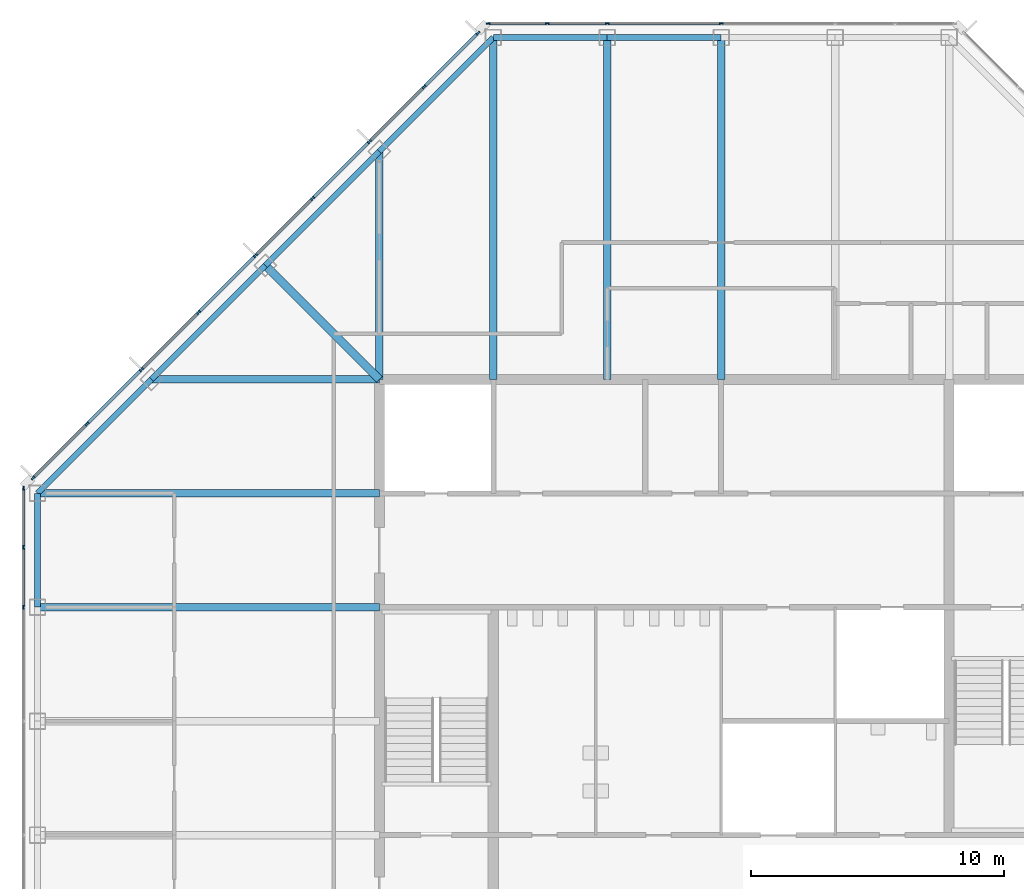
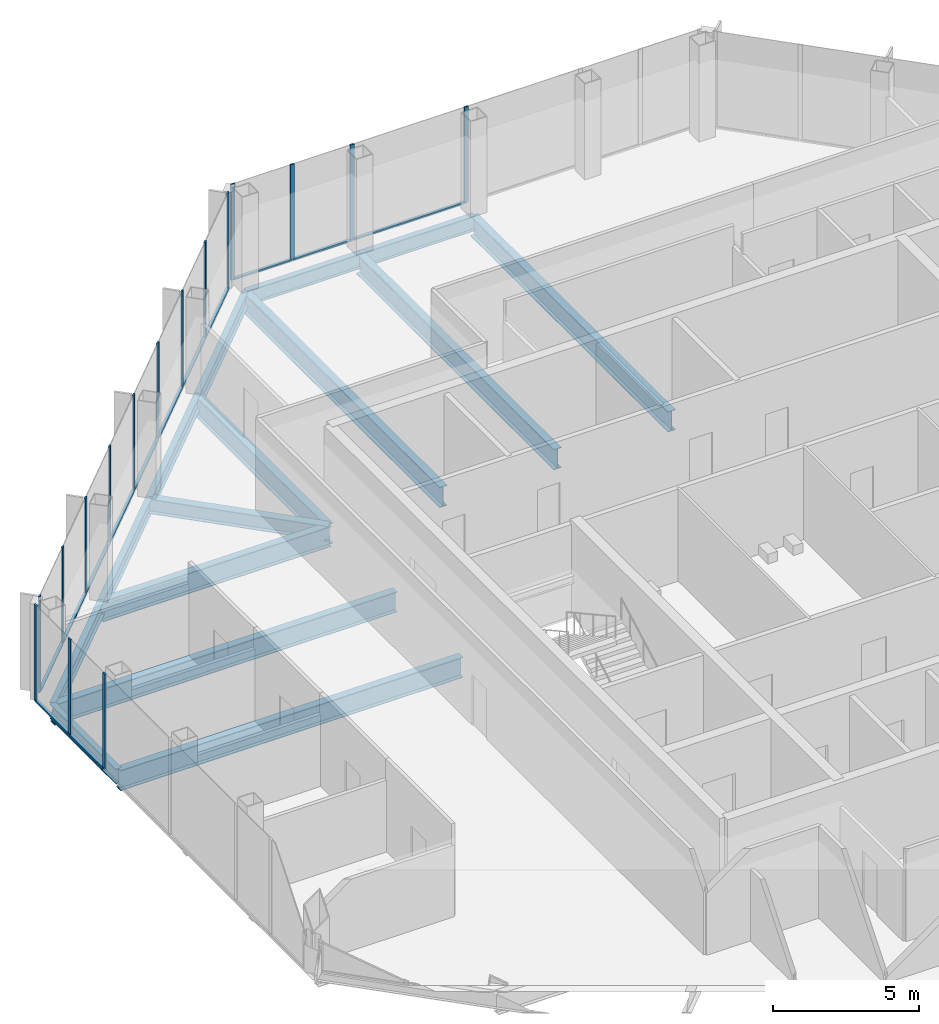
# One storey, part 6 of 14: 29 members, 15 beams, 3 elements without a shape of their own.
"""IFC4 building model written with IfcOpenShell, lengths in metres."""

import ifcopenshell
import ifcopenshell.guid

model = None  # the IFC model being written
_history = None  # IfcOwnerHistory: only IFC2X3 demands one
_inside = {}  # id of a spatial element -> (the spatial element, [elements in it])
_under = {}  # id of a project, library or spatial element -> (it, [spatial elements below it])
_declared = {}  # id of a project -> (the project, [libraries it declares])
_typed = {}  # id of a type object -> (the type object, [elements of that type])
_made_of = {}  # id of a material, layer set ... -> (it, [elements and type objects made of it])


def new_model(schema):
    """Start an empty IFC model of exactly this schema.

    Asked for "IFC4X3", IfcOpenShell would pick the latest addendum, in which some entities
    have other attributes; the version numbers below select the first issue.
    IFC2X3 requires an IfcOwnerHistory on every rooted entity: one is made here for all.
    """
    global model, _history
    if schema == "IFC4X3":
        model = ifcopenshell.file(schema_version=(4, 3, 0, 0))
    else:
        model = ifcopenshell.file(schema=schema)
    _inside.clear()
    _under.clear()
    _declared.clear()
    _typed.clear()
    _made_of.clear()
    _history = None
    if model.schema == "IFC2X3":
        org = make("IfcOrganization", Name="unknown")
        user = make(
            "IfcPersonAndOrganization",
            ThePerson=make("IfcPerson", FamilyName="unknown"),
            TheOrganization=org,
        )
        app = make(
            "IfcApplication",
            ApplicationDeveloper=org,
            Version="unknown",
            ApplicationFullName="unknown",
            ApplicationIdentifier="unknown",
        )
        _history = make(
            "IfcOwnerHistory",
            OwningUser=user,
            OwningApplication=app,
            ChangeAction="ADDED",
            CreationDate=0,
        )
    return model


def make(cls, **values):
    """One entity of the class cls with the attributes given. An attribute that is None is left unset."""
    return model.create_entity(
        cls, **{name: value for name, value in values.items() if value is not None}
    )


def rooted(cls, **values):
    """An entity with a GlobalId (a new one), such as an element, a storey or a relation."""
    return make(cls, GlobalId=ifcopenshell.guid.new(), OwnerHistory=_history, **values)


def si_unit(unit_type, name, prefix=None):
    """IfcSIUnit, for example si_unit("LENGTHUNIT", "METRE", prefix="MILLI")."""
    return make("IfcSIUnit", UnitType=unit_type, Prefix=prefix, Name=name)


def assignment(units):
    """IfcUnitAssignment: the units of a project."""
    return None if units is None else make("IfcUnitAssignment", Units=units)


def point(xyz):
    """IfcCartesianPoint."""
    return None if xyz is None else make("IfcCartesianPoint", Coordinates=xyz)


def direction(xyz):
    """IfcDirection."""
    return None if xyz is None else make("IfcDirection", DirectionRatios=xyz)


def frame(location, z_axis=None, x_axis=None):
    """IfcAxis2Placement3D, a coordinate frame: its origin and axes. An axis left out is left unset."""
    return make(
        "IfcAxis2Placement3D",
        Location=point(location),
        Axis=direction(z_axis),
        RefDirection=direction(x_axis),
    )


def frame_2d(location, x_axis=None):
    """IfcAxis2Placement2D, a coordinate frame in the plane: its origin and x axis."""
    return make(
        "IfcAxis2Placement2D", Location=point(location), RefDirection=direction(x_axis)
    )


def origin():
    """The frame at (0, 0, 0) with its axes left unset."""
    return frame((0.0, 0.0, 0.0))


def origin_2d():
    """The frame at (0, 0) in the plane with its x axis left unset."""
    return frame_2d((0.0, 0.0))


def place(relative_to, where):
    """IfcLocalPlacement: puts the frame where relative to a parent placement (None: the world)."""
    return make(
        "IfcLocalPlacement", PlacementRelTo=relative_to, RelativePlacement=where
    )


def context(
    kind, dimensions, precision=None, world=None, true_north=None, identifier=None
):
    """IfcGeometricRepresentationContext, for example the 3D "Model" context."""
    return make(
        "IfcGeometricRepresentationContext",
        ContextIdentifier=identifier,
        ContextType=kind,
        CoordinateSpaceDimension=dimensions,
        Precision=precision,
        WorldCoordinateSystem=world,
        TrueNorth=true_north,
    )


def subcontext(parent, identifier, kind, view, scale=None):
    """IfcGeometricRepresentationSubContext, for example "Body" below "Model"."""
    return make(
        "IfcGeometricRepresentationSubContext",
        ContextIdentifier=identifier,
        ContextType=kind,
        ParentContext=parent,
        TargetScale=scale,
        TargetView=view,
    )


def project(units=None, contexts=None):
    """IfcProject with its units and contexts."""
    return rooted(
        "IfcProject",
        Name="project",
        RepresentationContexts=contexts,
        UnitsInContext=assignment(units),
    )


def spatial(cls, under=None, at=None, **own):
    """A site, building, storey or space (cls), placed at a placement, below another one or the project."""
    s = rooted(cls, ObjectPlacement=at, **own)
    if under is not None:
        _under.setdefault(under.id(), (under, []))[1].append(s)
    return s


def profile(cls, at=None, kind="AREA", **sizes):
    """A parametric profile (cls). Its sizes go by their IFC names, for example OverallWidth=200.0."""
    return make(cls, ProfileType=kind, Position=at, **sizes)


def rectangle(**sizes):
    """IfcRectangleProfileDef."""
    return profile("IfcRectangleProfileDef", **sizes)


def i_section(**sizes):
    """IfcIShapeProfileDef."""
    return profile("IfcIShapeProfileDef", **sizes)


def extrude(swept, where, along, depth):
    """IfcExtrudedAreaSolid: the profile swept, set in the frame where, extruded along a direction by depth."""
    return make(
        "IfcExtrudedAreaSolid",
        SweptArea=swept,
        Position=where,
        ExtrudedDirection=direction(along),
        Depth=depth,
    )


def shape(context_of_items, identifier, shape_type, items):
    """IfcShapeRepresentation: the items that make up one representation, for example the "Body"."""
    return make(
        "IfcShapeRepresentation",
        ContextOfItems=context_of_items,
        RepresentationIdentifier=identifier,
        RepresentationType=shape_type,
        Items=items,
    )


def material(Name=None, Category=None):
    """IfcMaterial."""
    return make("IfcMaterial", Name=Name, Category=Category)


def material_profile(
    of_material, cross_section, Name=None, Category=None, Priority=None
):
    """IfcMaterialProfile: a cross section and its material."""
    return make(
        "IfcMaterialProfile",
        Name=Name,
        Material=of_material,
        Profile=cross_section,
        Priority=Priority,
        Category=Category,
    )


def profile_set(profiles, Name=None, composite=None):
    """IfcMaterialProfileSet."""
    return make(
        "IfcMaterialProfileSet",
        Name=Name,
        MaterialProfiles=profiles,
        CompositeProfile=composite,
    )


def made_of(thing, what):
    """Note that an element or type object is made of a material, layer set ...; save() writes the relation."""
    if what is not None:
        _made_of.setdefault(what.id(), (what, []))[1].append(thing)
    return thing


def type_object(cls, material=None, **own):
    """A type object (cls), such as IfcWallType, which elements share."""
    return made_of(rooted(cls, **own), material)


def element(
    cls,
    number,
    at=None,
    inside=None,
    cuts=None,
    type_object=None,
    material=None,
    context=None,
    identifier="Body",
    shape_type=None,
    held_by="IfcProductDefinitionShape",
    body=None,
    shapes=None,
    **own,
):
    """One element of the class cls, such as IfcWall. Its Tag is "e" and its number.

    at: its placement. inside: the storey or other place that contains it. cuts: it is an
    opening in that element (IfcRelVoidsElement). A single representation is given by context,
    identifier, shape_type and body (its items); several are given by shapes. held_by: the class
    of the entity that holds the representations. save() writes the other relations.
    """
    e = rooted(cls, Tag="e%d" % number, ObjectPlacement=at, **own)
    if body is not None:
        shapes = [shape(context, identifier, shape_type, body)]
    if shapes is not None:
        e.Representation = make(held_by, Representations=shapes)
    if inside is not None:
        _inside.setdefault(inside.id(), (inside, []))[1].append(e)
    if cuts is not None:
        rooted(
            "IfcRelVoidsElement", RelatingBuildingElement=cuts, RelatedOpeningElement=e
        )
    if type_object is not None:
        _typed.setdefault(type_object.id(), (type_object, []))[1].append(e)
    return made_of(e, material)


def aggregate(whole, parts):
    """IfcRelAggregates: a whole, such as a stair, and the parts it consists of."""
    return rooted("IfcRelAggregates", RelatingObject=whole, RelatedObjects=parts)


def save(model, path):
    """Write the relations noted so far, then the file.

    IfcRelAggregates (storeys below a building ...), IfcRelContainedInSpatialStructure (elements
    in a storey), IfcRelDefinesByType, IfcRelAssociatesMaterial and IfcRelDeclares: one each for
    every whole, place, type object, material and project.
    """
    for whole, parts in _under.values():
        aggregate(whole, parts)
    for where, things in _inside.values():
        rooted(
            "IfcRelContainedInSpatialStructure",
            RelatedElements=things,
            RelatingStructure=where,
        )
    for kind, things in _typed.values():
        rooted("IfcRelDefinesByType", RelatedObjects=things, RelatingType=kind)
    for what, things in _made_of.values():
        rooted("IfcRelAssociatesMaterial", RelatedObjects=things, RelatingMaterial=what)
    for by, libraries in _declared.values():
        rooted("IfcRelDeclares", RelatingContext=by, RelatedDefinitions=libraries)
    model.write(path)


model = new_model("IFC4")

# Units and contexts
model_context = context("Model", 3, precision=1e-05, world=origin(), true_north=direction((0.0, 1.0)))
body_context = subcontext(model_context, "Body", "Model", "MODEL_VIEW")
ifc_project = project(units=[si_unit("LENGTHUNIT", "METRE"), si_unit("AREAUNIT", "SQUARE_METRE"), si_unit("VOLUMEUNIT", "CUBIC_METRE"), si_unit("PLANEANGLEUNIT", "RADIAN"), si_unit("MASSUNIT", "GRAM", prefix="KILO")], contexts=[model_context])

# Site, building, storey
site_placement = place(None, origin())
site = spatial("IfcSite", under=ifc_project, at=site_placement, CompositionType="ELEMENT")
building_placement = place(site_placement, origin())
building = spatial("IfcBuilding", under=site, at=building_placement, Name="Corais Broadcast Tower", CompositionType="ELEMENT")
storey_placement = place(building_placement, frame((0.0, 0.0, 230.60009765625)))
storey = spatial("IfcBuildingStorey", under=building, at=storey_placement, Name="L53", CompositionType="ELEMENT", Elevation=230.60009765625)

# Beams
ifc_material_1 = material(Name="Steel ASTM A572 Grade 50", Category="steel")
ifc_material_profile_1 = material_profile(ifc_material_1, i_section(OverallWidth=0.323974609375, OverallDepth=0.611083984375, WebThickness=0.0126953125, FlangeThickness=0.01904296875, at=origin_2d()), Name="W610x155")
ifc_profile_set_1 = profile_set([ifc_material_profile_1], Name="Steel ASTM A572 Grade 50")
beam_type_1 = type_object("IfcBeamType", Name="Corner diagonal W610x155", PredefinedType="BEAM", material=ifc_profile_set_1)
beam_1_placement = place(storey_placement, frame((9.0, 45.0, -0.465576171875), z_axis=(0.707106781187, -0.707106781187, 0.0), x_axis=(0.707106781187, 0.707106781187, 0.0)))
element("IfcBeam", 1, at=beam_1_placement, inside=storey, type_object=beam_type_1, Name="B6 L/5 to K/6", PredefinedType="BEAM", context=body_context, shape_type="SweptSolid", body=[
    extrude(i_section(OverallWidth=0.323974609375, OverallDepth=0.611083984375, WebThickness=0.0126953125, FlangeThickness=0.01904296875, at=origin_2d()), origin(), (0.0, 0.0, 1.0), 6.364013671875),
])
ifc_material_2 = material(Name="Steel ASTM A572 Grade 50", Category="steel")
ifc_material_profile_2 = material_profile(ifc_material_2, i_section(OverallWidth=0.2939453125, OverallDepth=0.85107421875, WebThickness=0.01611328125, FlangeThickness=0.02685546875, at=origin_2d()), Name="W840x226")
ifc_profile_set_2 = profile_set([ifc_material_profile_2], Name="Steel ASTM A572 Grade 50")
beam_type_2 = type_object("IfcBeamType", Name="Floor beam W840x226", PredefinedType="BEAM", material=ifc_profile_set_2)
for number, where, z_axis, x_axis, name in (
    (2, (0.0, 31.5, -0.585693359375), (1.0, 0.0, 0.0), (0.0, 1.0, 0.0), "B1 H/3 to H/6"),
    (3, (0.0, 36.0, -0.585693359375), (1.0, 0.0, 0.0), (0.0, 1.0, 0.0), "B1 J/3 to J/6"),
):
    element("IfcBeam", number, at=place(storey_placement, frame(where, z_axis=z_axis, x_axis=x_axis)), inside=storey, type_object=beam_type_2, Name=name, PredefinedType="BEAM", context=body_context, shape_type="SweptSolid", body=[
        extrude(i_section(OverallWidth=0.2939453125, OverallDepth=0.85107421875, WebThickness=0.01611328125, FlangeThickness=0.02685546875, at=origin_2d()), origin(), (0.0, 0.0, 1.0), 13.5),
    ])
beam_2_placement = place(storey_placement, frame((13.5, 49.5, -0.585693359375), z_axis=(0.0, -1.0, 0.0), x_axis=(1.0, 0.0, 0.0)))
element("IfcBeam", 4, at=beam_2_placement, inside=storey, type_object=beam_type_2, Name="B1 M/6 to K/6", PredefinedType="BEAM", context=body_context, shape_type="SweptSolid", body=[
    extrude(i_section(OverallWidth=0.2939453125, OverallDepth=0.85107421875, WebThickness=0.01611328125, FlangeThickness=0.02685546875, at=origin_2d()), origin(), (0.0, 0.0, 1.0), 9.0),
])
for number, where, z_axis, x_axis, name in (
    (5, (18.0, 54.0, -0.585693359375), (0.0, -1.0, 0.0), (1.0, 0.0, 0.0), "B1 N/7 to K/7"),
    (6, (22.5, 54.0, -0.585693359375), (0.0, -1.0, 0.0), (1.0, 0.0, 0.0), "B1 N/8 to K/8"),
    (7, (27.0, 54.0, -0.585693359375), (0.0, -1.0, 0.0), (1.0, 0.0, 0.0), "B1 N/9 to K/9"),
):
    element("IfcBeam", number, at=place(storey_placement, frame(where, z_axis=z_axis, x_axis=x_axis)), inside=storey, type_object=beam_type_2, Name=name, PredefinedType="BEAM", context=body_context, shape_type="SweptSolid", body=[
        extrude(i_section(OverallWidth=0.2939453125, OverallDepth=0.85107421875, WebThickness=0.01611328125, FlangeThickness=0.02685546875, at=origin_2d()), origin(), (0.0, 0.0, 1.0), 13.5),
    ])
beam_3_placement = place(storey_placement, frame((4.5, 40.5, -0.585693359375), z_axis=(1.0, 0.0, 0.0), x_axis=(0.0, 1.0, 0.0)))
element("IfcBeam", 8, at=beam_3_placement, inside=storey, type_object=beam_type_2, Name="B1 K/4 to K/6", PredefinedType="BEAM", context=body_context, shape_type="SweptSolid", body=[
    extrude(i_section(OverallWidth=0.2939453125, OverallDepth=0.85107421875, WebThickness=0.01611328125, FlangeThickness=0.02685546875, at=origin_2d()), origin(), (0.0, 0.0, 1.0), 9.0),
])

# Curtain wall, members
ifc_material_3 = material(Name="Aluminium and glass", Category="aluminium")
curtain_wall_type = type_object("IfcCurtainWallType", Name="Unitised fritted curtain wall CW3", PredefinedType="NOTDEFINED", material=ifc_material_3)
curtain_wall_1_placement = place(storey_placement, origin())
curtain_wall_1 = element("IfcCurtainWall", 9, at=curtain_wall_1_placement, inside=storey, type_object=curtain_wall_type, Name="CW3 curtain wall L53 2", PredefinedType="NOTDEFINED")
ifc_material_4 = material(Name="Aluminium 6063-T6", Category="aluminium")
ifc_material_profile_3 = material_profile(ifc_material_4, rectangle(XDim=0.06494140625, YDim=0.159912109375, at=origin_2d()), Name="Mullion CW3 65x160")
ifc_profile_set_3 = profile_set([ifc_material_profile_3], Name="Aluminium 6063-T6")
member_type_1 = type_object("IfcMemberType", Name="Mullion CW3 65x160", PredefinedType="MULLION", material=ifc_profile_set_3)
member_1_placement = place(storey_placement, frame((-0.550048828125, 31.5, 0.0), z_axis=(0.0, 0.0, 1.0), x_axis=(-1.0, 0.0, 0.0)))
member_1 = element("IfcMember", 10, at=member_1_placement, type_object=member_type_1, Name="CW3 mullion 5", PredefinedType="MULLION", context=body_context, shape_type="SweptSolid", body=[
    extrude(rectangle(XDim=0.06494140625, YDim=0.159912109375, at=origin_2d()), origin(), (0.0, 0.0, 1.0), 4.0),
])
member_2_placement = place(storey_placement, frame((-0.550048828125, 33.864013671875, 0.0), z_axis=(0.0, 0.0, 1.0), x_axis=(-1.0, 0.0, 0.0)))
member_2 = element("IfcMember", 11, at=member_2_placement, type_object=member_type_1, Name="CW3 mullion 6", PredefinedType="MULLION", context=body_context, shape_type="SweptSolid", body=[
    extrude(rectangle(XDim=0.06494140625, YDim=0.159912109375, at=origin_2d()), origin(), (0.0, 0.0, 1.0), 4.0),
])
member_3_placement = place(storey_placement, frame((-0.550048828125, 36.1953125, 0.0), z_axis=(0.0, 0.0, 1.0), x_axis=(-1.0, 0.0, 0.0)))
member_3 = element("IfcMember", 12, at=member_3_placement, type_object=member_type_1, Name="CW3 mullion 7", PredefinedType="MULLION", context=body_context, shape_type="SweptSolid", body=[
    extrude(rectangle(XDim=0.06494140625, YDim=0.159912109375, at=origin_2d()), origin(), (0.0, 0.0, 1.0), 4.0),
])

curtain_wall_2_placement = place(storey_placement, origin())
curtain_wall_2 = element("IfcCurtainWall", 13, at=curtain_wall_2_placement, inside=storey, type_object=curtain_wall_type, Name="CW3 curtain wall L53 3", PredefinedType="NOTDEFINED")
member_4_placement = place(storey_placement, frame((-0.17333984375, 36.6044921875, 0.0), z_axis=(0.0, 0.0, 1.0), x_axis=(-0.707106781187, 0.707106781187, 0.0)))
member_4 = element("IfcMember", 14, at=member_4_placement, type_object=member_type_1, Name="CW3 mullion 1", PredefinedType="MULLION", context=body_context, shape_type="SweptSolid", body=[
    extrude(rectangle(XDim=0.06494140625, YDim=0.159912109375, at=origin_2d()), origin(), (0.0, 0.0, 1.0), 4.0),
])
member_5_placement = place(storey_placement, frame((1.957275390625, 38.735107421875, 0.0), z_axis=(0.0, 0.0, 1.0), x_axis=(-0.707106781187, 0.707106781187, 0.0)))
member_5 = element("IfcMember", 15, at=member_5_placement, type_object=member_type_1, Name="CW3 mullion 2", PredefinedType="MULLION", context=body_context, shape_type="SweptSolid", body=[
    extrude(rectangle(XDim=0.06494140625, YDim=0.159912109375, at=origin_2d()), origin(), (0.0, 0.0, 1.0), 4.0),
])
member_6_placement = place(storey_placement, frame((4.111083984375, 40.888916015625, 0.0), z_axis=(0.0, 0.0, 1.0), x_axis=(-0.707106781187, 0.707106781187, 0.0)))
member_6 = element("IfcMember", 16, at=member_6_placement, type_object=member_type_1, Name="CW3 mullion 3", PredefinedType="MULLION", context=body_context, shape_type="SweptSolid", body=[
    extrude(rectangle(XDim=0.06494140625, YDim=0.159912109375, at=origin_2d()), origin(), (0.0, 0.0, 1.0), 4.0),
])
member_7_placement = place(storey_placement, frame((6.361083984375, 43.138916015625, 0.0), z_axis=(0.0, 0.0, 1.0), x_axis=(-0.707106781187, 0.707106781187, 0.0)))
member_7 = element("IfcMember", 17, at=member_7_placement, type_object=member_type_1, Name="CW3 mullion 4", PredefinedType="MULLION", context=body_context, shape_type="SweptSolid", body=[
    extrude(rectangle(XDim=0.06494140625, YDim=0.159912109375, at=origin_2d()), origin(), (0.0, 0.0, 1.0), 4.0),
])
member_8_placement = place(storey_placement, frame((8.611083984375, 45.388916015625, 0.0), z_axis=(0.0, 0.0, 1.0), x_axis=(-0.707106781187, 0.707106781187, 0.0)))
member_8 = element("IfcMember", 18, at=member_8_placement, type_object=member_type_1, Name="CW3 mullion 5", PredefinedType="MULLION", context=body_context, shape_type="SweptSolid", body=[
    extrude(rectangle(XDim=0.06494140625, YDim=0.159912109375, at=origin_2d()), origin(), (0.0, 0.0, 1.0), 4.0),
])
member_9_placement = place(storey_placement, frame((10.861083984375, 47.638916015625, 0.0), z_axis=(0.0, 0.0, 1.0), x_axis=(-0.707106781187, 0.707106781187, 0.0)))
member_9 = element("IfcMember", 19, at=member_9_placement, type_object=member_type_1, Name="CW3 mullion 6", PredefinedType="MULLION", context=body_context, shape_type="SweptSolid", body=[
    extrude(rectangle(XDim=0.06494140625, YDim=0.159912109375, at=origin_2d()), origin(), (0.0, 0.0, 1.0), 4.0),
])
member_10_placement = place(storey_placement, frame((13.111083984375, 49.888916015625, 0.0), z_axis=(0.0, 0.0, 1.0), x_axis=(-0.707106781187, 0.707106781187, 0.0)))
member_10 = element("IfcMember", 20, at=member_10_placement, type_object=member_type_1, Name="CW3 mullion 7", PredefinedType="MULLION", context=body_context, shape_type="SweptSolid", body=[
    extrude(rectangle(XDim=0.06494140625, YDim=0.159912109375, at=origin_2d()), origin(), (0.0, 0.0, 1.0), 4.0),
])
member_11_placement = place(storey_placement, frame((15.264892578125, 52.042724609375, 0.0), z_axis=(0.0, 0.0, 1.0), x_axis=(-0.707106781187, 0.707106781187, 0.0)))
member_11 = element("IfcMember", 21, at=member_11_placement, type_object=member_type_1, Name="CW3 mullion 8", PredefinedType="MULLION", context=body_context, shape_type="SweptSolid", body=[
    extrude(rectangle(XDim=0.06494140625, YDim=0.159912109375, at=origin_2d()), origin(), (0.0, 0.0, 1.0), 4.0),
])
member_12_placement = place(storey_placement, frame((17.3955078125, 54.17333984375, 0.0), z_axis=(0.0, 0.0, 1.0), x_axis=(-0.707106781187, 0.707106781187, 0.0)))
member_12 = element("IfcMember", 22, at=member_12_placement, type_object=member_type_1, Name="CW3 mullion 9", PredefinedType="MULLION", context=body_context, shape_type="SweptSolid", body=[
    extrude(rectangle(XDim=0.06494140625, YDim=0.159912109375, at=origin_2d()), origin(), (0.0, 0.0, 1.0), 4.0),
])

curtain_wall_3_placement = place(storey_placement, origin())
curtain_wall_3 = element("IfcCurtainWall", 23, at=curtain_wall_3_placement, inside=storey, type_object=curtain_wall_type, Name="CW3 curtain wall L53 4", PredefinedType="NOTDEFINED")
member_13_placement = place(storey_placement, frame((17.8046875, 54.550048828125, 0.0), z_axis=(0.0, 0.0, 1.0), x_axis=(0.0, 1.0, 0.0)))
member_13 = element("IfcMember", 24, at=member_13_placement, type_object=member_type_1, Name="CW3 mullion 1", PredefinedType="MULLION", context=body_context, shape_type="SweptSolid", body=[
    extrude(rectangle(XDim=0.06494140625, YDim=0.159912109375, at=origin_2d()), origin(), (0.0, 0.0, 1.0), 4.0),
])
member_14_placement = place(storey_placement, frame((20.135986328125, 54.550048828125, 0.0), z_axis=(0.0, 0.0, 1.0), x_axis=(0.0, 1.0, 0.0)))
member_14 = element("IfcMember", 25, at=member_14_placement, type_object=member_type_1, Name="CW3 mullion 2", PredefinedType="MULLION", context=body_context, shape_type="SweptSolid", body=[
    extrude(rectangle(XDim=0.06494140625, YDim=0.159912109375, at=origin_2d()), origin(), (0.0, 0.0, 1.0), 4.0),
])
member_15_placement = place(storey_placement, frame((22.5, 54.550048828125, 0.0), z_axis=(0.0, 0.0, 1.0), x_axis=(0.0, 1.0, 0.0)))
member_15 = element("IfcMember", 26, at=member_15_placement, type_object=member_type_1, Name="CW3 mullion 3", PredefinedType="MULLION", context=body_context, shape_type="SweptSolid", body=[
    extrude(rectangle(XDim=0.06494140625, YDim=0.159912109375, at=origin_2d()), origin(), (0.0, 0.0, 1.0), 4.0),
])
member_16_placement = place(storey_placement, frame((27.0, 54.550048828125, 0.0), z_axis=(0.0, 0.0, 1.0), x_axis=(0.0, 1.0, 0.0)))
member_16 = element("IfcMember", 27, at=member_16_placement, type_object=member_type_1, Name="CW3 mullion 4", PredefinedType="MULLION", context=body_context, shape_type="SweptSolid", body=[
    extrude(rectangle(XDim=0.06494140625, YDim=0.159912109375, at=origin_2d()), origin(), (0.0, 0.0, 1.0), 4.0),
])

# Beams
ifc_material_5 = material(Name="Steel ASTM A572 Grade 50", Category="steel")
ifc_material_profile_4 = material_profile(ifc_material_5, i_section(OverallWidth=0.22998046875, OverallDepth=0.616943359375, WebThickness=0.01318359375, FlangeThickness=0.022216796875, at=origin_2d()), Name="W610x140")
ifc_profile_set_4 = profile_set([ifc_material_profile_4], Name="Steel ASTM A572 Grade 50")
beam_type_3 = type_object("IfcBeamType", Name="Spandrel W610x140", PredefinedType="BEAM", material=ifc_profile_set_4)
beam_4_placement = place(storey_placement, frame((0.0, 36.0, -0.468505859375), z_axis=(0.0, -1.0, 0.0), x_axis=(1.0, 0.0, 0.0)))
element("IfcBeam", 28, at=beam_4_placement, inside=storey, type_object=beam_type_3, Name="SB3 J/3 to H/3", PredefinedType="BEAM", context=body_context, shape_type="SweptSolid", body=[
    extrude(i_section(OverallWidth=0.22998046875, OverallDepth=0.616943359375, WebThickness=0.01318359375, FlangeThickness=0.022216796875, at=origin_2d()), origin(), (0.0, 0.0, 1.0), 4.5),
])
for number, where, z_axis, x_axis, name in (
    (29, (13.5, 49.5, -0.468505859375), (-0.707106781187, -0.707106781187, 0.0), (0.707106781187, -0.707106781187, 0.0), "SB3 M/6 to L/5"),
    (30, (18.0, 54.0, -0.468505859375), (-0.707106781187, -0.707106781187, 0.0), (0.707106781187, -0.707106781187, 0.0), "SB3 N/7 to M/6"),
):
    element("IfcBeam", number, at=place(storey_placement, frame(where, z_axis=z_axis, x_axis=x_axis)), inside=storey, type_object=beam_type_3, Name=name, PredefinedType="BEAM", context=body_context, shape_type="SweptSolid", body=[
        extrude(i_section(OverallWidth=0.22998046875, OverallDepth=0.616943359375, WebThickness=0.01318359375, FlangeThickness=0.022216796875, at=origin_2d()), origin(), (0.0, 0.0, 1.0), 6.364013671875),
    ])
for number, where, z_axis, x_axis, name in (
    (31, (22.5, 54.0, -0.468505859375), (-1.0, 0.0, 0.0), (0.0, -1.0, 0.0), "SB3 N/8 to N/7"),
    (32, (27.0, 54.0, -0.468505859375), (-1.0, 0.0, 0.0), (0.0, -1.0, 0.0), "SB3 N/9 to N/8"),
):
    element("IfcBeam", number, at=place(storey_placement, frame(where, z_axis=z_axis, x_axis=x_axis)), inside=storey, type_object=beam_type_3, Name=name, PredefinedType="BEAM", context=body_context, shape_type="SweptSolid", body=[
        extrude(i_section(OverallWidth=0.22998046875, OverallDepth=0.616943359375, WebThickness=0.01318359375, FlangeThickness=0.022216796875, at=origin_2d()), origin(), (0.0, 0.0, 1.0), 4.5),
    ])
for number, where, z_axis, x_axis, name in (
    (33, (4.5, 40.5, -0.468505859375), (-0.707106781187, -0.707106781187, 0.0), (0.707106781187, -0.707106781187, 0.0), "SB3 K/4 to J/3"),
    (34, (9.0, 45.0, -0.468505859375), (-0.707106781187, -0.707106781187, 0.0), (0.707106781187, -0.707106781187, 0.0), "SB3 L/5 to K/4"),
):
    element("IfcBeam", number, at=place(storey_placement, frame(where, z_axis=z_axis, x_axis=x_axis)), inside=storey, type_object=beam_type_3, Name=name, PredefinedType="BEAM", context=body_context, shape_type="SweptSolid", body=[
        extrude(i_section(OverallWidth=0.22998046875, OverallDepth=0.616943359375, WebThickness=0.01318359375, FlangeThickness=0.022216796875, at=origin_2d()), origin(), (0.0, 0.0, 1.0), 6.364013671875),
    ])

# Member
ifc_material_6 = material(Name="Aluminium 6063-T6", Category="aluminium")
ifc_material_profile_5 = material_profile(ifc_material_6, rectangle(XDim=0.1201171875, YDim=0.06494140625, at=origin_2d()), Name="Transom CW3 65x120")
ifc_profile_set_5 = profile_set([ifc_material_profile_5], Name="Aluminium 6063-T6")
member_type_2 = type_object("IfcMemberType", Name="Transom CW3 65x120", PredefinedType="USERDEFINED", material=ifc_profile_set_5)
member_17_placement = place(storey_placement, frame((-0.550048828125, 31.532470703125, 0.032470703125), z_axis=(0.0, 1.0, 0.0), x_axis=(-1.0, 0.0, 0.0)))
member_17 = element("IfcMember", 35, at=member_17_placement, type_object=member_type_2, Name="CW3 transom 5.1", ObjectType="TRANSOM", PredefinedType="USERDEFINED", context=body_context, shape_type="SweptSolid", body=[
    extrude(rectangle(XDim=0.1201171875, YDim=0.06494140625, at=origin_2d()), origin(), (0.0, 0.0, 1.0), 2.298828125),
])

member_18_placement = place(storey_placement, frame((-0.550048828125, 33.896484375, 0.032470703125), z_axis=(0.0, 1.0, 0.0), x_axis=(-1.0, 0.0, 0.0)))
member_18 = element("IfcMember", 36, at=member_18_placement, type_object=member_type_2, Name="CW3 transom 6.1", ObjectType="TRANSOM", PredefinedType="USERDEFINED", context=body_context, shape_type="SweptSolid", body=[
    extrude(rectangle(XDim=0.1201171875, YDim=0.06494140625, at=origin_2d()), origin(), (0.0, 0.0, 1.0), 2.266357421875),
])

aggregate(curtain_wall_1, [member_1, member_2, member_3, member_17, member_18])

member_19_placement = place(storey_placement, frame((-0.150390625, 36.62744140625, 0.032470703125), z_axis=(0.707106781187, 0.707106781187, 0.0), x_axis=(-0.707106781187, 0.707106781187, 0.0)))
member_19 = element("IfcMember", 37, at=member_19_placement, type_object=member_type_2, Name="CW3 transom 1.1", ObjectType="TRANSOM", PredefinedType="USERDEFINED", context=body_context, shape_type="SweptSolid", body=[
    extrude(rectangle(XDim=0.1201171875, YDim=0.06494140625, at=origin_2d()), origin(), (0.0, 0.0, 1.0), 2.9482421875),
])

member_20_placement = place(storey_placement, frame((1.980224609375, 38.758056640625, 0.032470703125), z_axis=(0.707106781187, 0.707106781187, 0.0), x_axis=(-0.707106781187, 0.707106781187, 0.0)))
member_20 = element("IfcMember", 38, at=member_20_placement, type_object=member_type_2, Name="CW3 transom 2.1", ObjectType="TRANSOM", PredefinedType="USERDEFINED", context=body_context, shape_type="SweptSolid", body=[
    extrude(rectangle(XDim=0.1201171875, YDim=0.06494140625, at=origin_2d()), origin(), (0.0, 0.0, 1.0), 2.98095703125),
])

member_21_placement = place(storey_placement, frame((4.134033203125, 40.911865234375, 0.032470703125), z_axis=(0.707106781187, 0.707106781187, 0.0), x_axis=(-0.707106781187, 0.707106781187, 0.0)))
member_21 = element("IfcMember", 39, at=member_21_placement, type_object=member_type_2, Name="CW3 transom 3.1", ObjectType="TRANSOM", PredefinedType="USERDEFINED", context=body_context, shape_type="SweptSolid", body=[
    extrude(rectangle(XDim=0.1201171875, YDim=0.06494140625, at=origin_2d()), origin(), (0.0, 0.0, 1.0), 3.1171875),
])

member_22_placement = place(storey_placement, frame((6.384033203125, 43.161865234375, 0.032470703125), z_axis=(0.707106781187, 0.707106781187, 0.0), x_axis=(-0.707106781187, 0.707106781187, 0.0)))
member_22 = element("IfcMember", 40, at=member_22_placement, type_object=member_type_2, Name="CW3 transom 4.1", ObjectType="TRANSOM", PredefinedType="USERDEFINED", context=body_context, shape_type="SweptSolid", body=[
    extrude(rectangle(XDim=0.1201171875, YDim=0.06494140625, at=origin_2d()), origin(), (0.0, 0.0, 1.0), 3.1171875),
])

member_23_placement = place(storey_placement, frame((8.634033203125, 45.411865234375, 0.032470703125), z_axis=(0.707106781187, 0.707106781187, 0.0), x_axis=(-0.707106781187, 0.707106781187, 0.0)))
member_23 = element("IfcMember", 41, at=member_23_placement, type_object=member_type_2, Name="CW3 transom 5.1", ObjectType="TRANSOM", PredefinedType="USERDEFINED", context=body_context, shape_type="SweptSolid", body=[
    extrude(rectangle(XDim=0.1201171875, YDim=0.06494140625, at=origin_2d()), origin(), (0.0, 0.0, 1.0), 3.1171875),
])

member_24_placement = place(storey_placement, frame((10.884033203125, 47.661865234375, 0.032470703125), z_axis=(0.707106781187, 0.707106781187, 0.0), x_axis=(-0.707106781187, 0.707106781187, 0.0)))
member_24 = element("IfcMember", 42, at=member_24_placement, type_object=member_type_2, Name="CW3 transom 6.1", ObjectType="TRANSOM", PredefinedType="USERDEFINED", context=body_context, shape_type="SweptSolid", body=[
    extrude(rectangle(XDim=0.1201171875, YDim=0.06494140625, at=origin_2d()), origin(), (0.0, 0.0, 1.0), 3.1171875),
])

member_25_placement = place(storey_placement, frame((13.134033203125, 49.911865234375, 0.032470703125), z_axis=(0.70714773134, 0.707065828661, 0.0), x_axis=(-0.707065828661, 0.70714773134, 0.0)))
member_25 = element("IfcMember", 43, at=member_25_placement, type_object=member_type_2, Name="CW3 transom 7.1", ObjectType="TRANSOM", PredefinedType="USERDEFINED", context=body_context, shape_type="SweptSolid", body=[
    extrude(rectangle(XDim=0.1201171875, YDim=0.06494140625, at=origin_2d()), origin(), (0.0, 0.0, 1.0), 2.98095703125),
])

member_26_placement = place(storey_placement, frame((15.287841796875, 52.065673828125, 0.032470703125), z_axis=(0.707106781187, 0.707106781187, 0.0), x_axis=(-0.707106781187, 0.707106781187, 0.0)))
member_26 = element("IfcMember", 44, at=member_26_placement, type_object=member_type_2, Name="CW3 transom 8.1", ObjectType="TRANSOM", PredefinedType="USERDEFINED", context=body_context, shape_type="SweptSolid", body=[
    extrude(rectangle(XDim=0.1201171875, YDim=0.06494140625, at=origin_2d()), origin(), (0.0, 0.0, 1.0), 2.9482421875),
])

aggregate(curtain_wall_2, [member_4, member_5, member_6, member_7, member_8, member_9, member_10, member_11, member_12, member_19, member_20, member_21, member_22, member_23, member_24, member_25, member_26])

member_27_placement = place(storey_placement, frame((17.837158203125, 54.550048828125, 0.032470703125), z_axis=(1.0, 0.0, 0.0), x_axis=(0.0, 1.0, 0.0)))
member_27 = element("IfcMember", 45, at=member_27_placement, type_object=member_type_2, Name="CW3 transom 1.1", ObjectType="TRANSOM", PredefinedType="USERDEFINED", context=body_context, shape_type="SweptSolid", body=[
    extrude(rectangle(XDim=0.1201171875, YDim=0.06494140625, at=origin_2d()), origin(), (0.0, 0.0, 1.0), 2.266357421875),
])

member_28_placement = place(storey_placement, frame((20.168701171875, 54.550048828125, 0.032470703125), z_axis=(1.0, 0.0, 0.0), x_axis=(0.0, 1.0, 0.0)))
member_28 = element("IfcMember", 46, at=member_28_placement, type_object=member_type_2, Name="CW3 transom 2.1", ObjectType="TRANSOM", PredefinedType="USERDEFINED", context=body_context, shape_type="SweptSolid", body=[
    extrude(rectangle(XDim=0.1201171875, YDim=0.06494140625, at=origin_2d()), origin(), (0.0, 0.0, 1.0), 2.298828125),
])

member_29_placement = place(storey_placement, frame((22.532470703125, 54.550048828125, 0.032470703125), z_axis=(1.0, 0.0, 0.0), x_axis=(0.0, 1.0, 0.0)))
member_29 = element("IfcMember", 47, at=member_29_placement, type_object=member_type_2, Name="CW3 transom 3.1", ObjectType="TRANSOM", PredefinedType="USERDEFINED", context=body_context, shape_type="SweptSolid", body=[
    extrude(rectangle(XDim=0.1201171875, YDim=0.06494140625, at=origin_2d()), origin(), (0.0, 0.0, 1.0), 4.43505859375),
])

aggregate(curtain_wall_3, [member_13, member_14, member_15, member_16, member_27, member_28, member_29])

save(model, "model.ifc")
